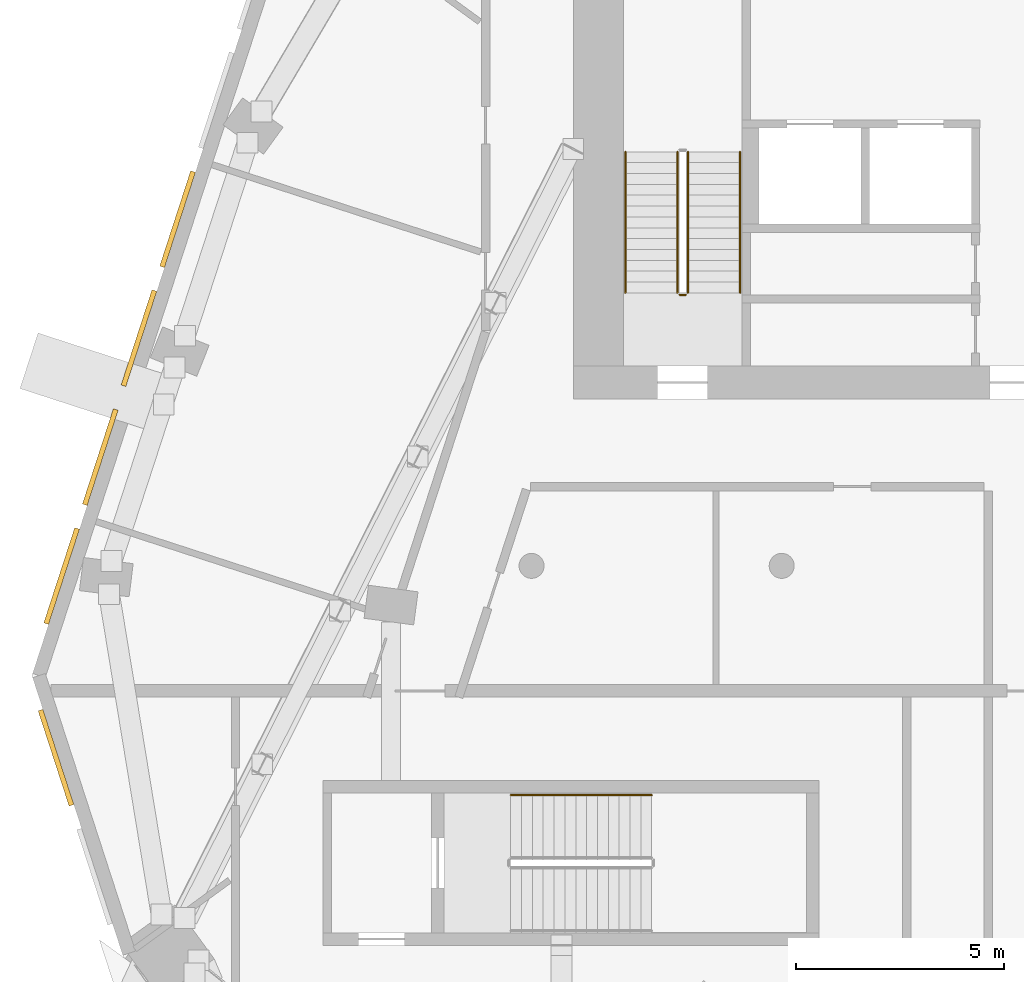
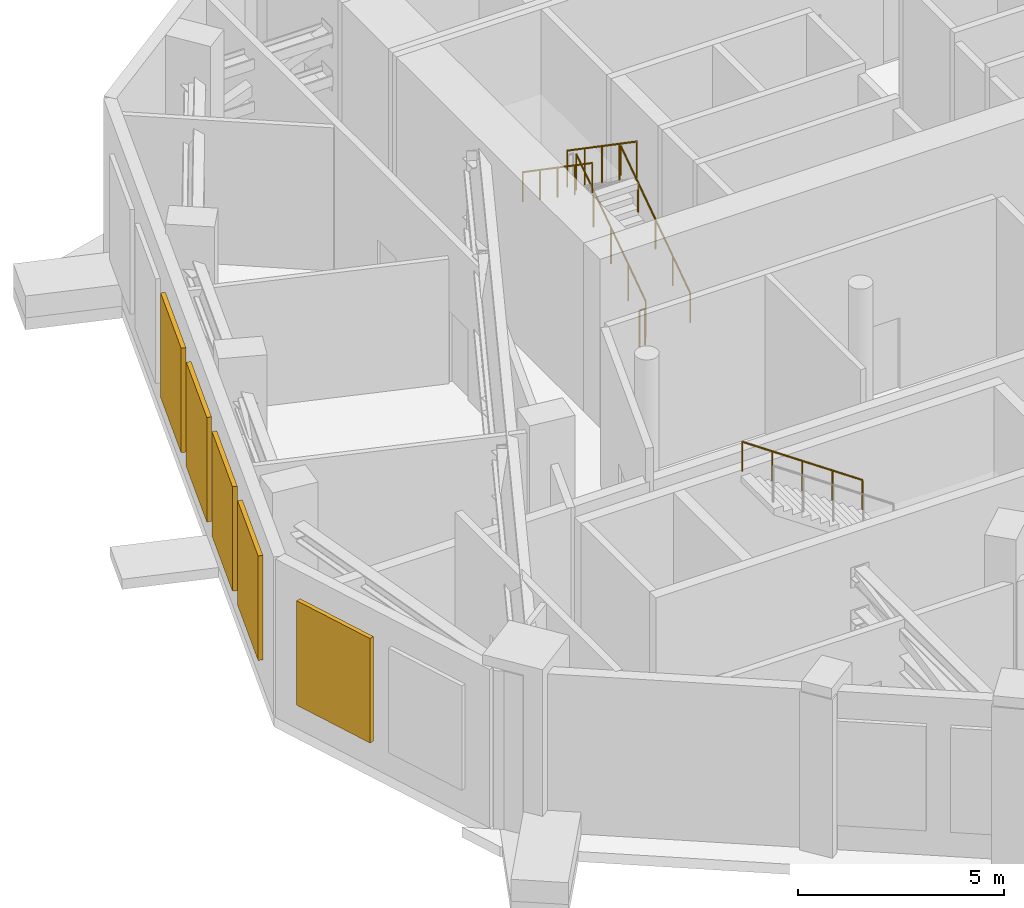
# One storey, part 13 of 16: 6 railings, 5 shading devices.
"""IFC4 building model written with IfcOpenShell, lengths in metres."""

from ifc_helpers import new_model, si_unit, direction, frame, origin, origin_2d, place, context, subcontext, project, spatial, rectangle, circle, extrude, material, type_object, element, save


model = new_model("IFC4")

# Units and contexts
model_context = context("Model", 3, precision=1e-05, world=origin(), true_north=direction((0.0, 1.0)))
body_context = subcontext(model_context, "Body", "Model", "MODEL_VIEW")
ifc_project = project(units=[si_unit("LENGTHUNIT", "METRE"), si_unit("AREAUNIT", "SQUARE_METRE"), si_unit("VOLUMEUNIT", "CUBIC_METRE"), si_unit("PLANEANGLEUNIT", "RADIAN"), si_unit("MASSUNIT", "GRAM", prefix="KILO")], contexts=[model_context])

# Site, building, storey
site_placement = place(None, origin())
site = spatial("IfcSite", under=ifc_project, at=site_placement, CompositionType="ELEMENT")
building_placement = place(site_placement, origin())
building = spatial("IfcBuilding", under=site, at=building_placement, Name="White Candle Pilgrim Tower", CompositionType="ELEMENT")
storey_placement = place(building_placement, frame((0.0, 0.0, 243.300048828125)))
storey = spatial("IfcBuildingStorey", under=building, at=storey_placement, Name="L57", CompositionType="ELEMENT", Elevation=243.300048828125)

# Shading devices
ifc_material_1 = material(Name="Aluminium", Category="aluminium")
shading_device_type = type_object("IfcShadingDeviceType", Name="Plant louvre LV2 2400x3100 aluminium framed", PredefinedType="USERDEFINED", material=ifc_material_1)
for number, where, z_axis, x_axis, name in (
    (1, (46.59326171875, 62.3984375, 0.7998046875), (0.0, 0.0, 1.0), (0.309016949491, -0.951056530879, 0.0), "Plant louvre L57 W chamfer 1"),
    (2, (49.50927734375, 75.314453125, 0.7998046875), (0.0, 0.0, 1.0), (-0.309016977212, -0.951056521872, 0.0), "Plant louvre L57 WNW 3"),
    (3, (48.582275390625, 72.461181640625, 0.7998046875), (0.0, 0.0, 1.0), (-0.309016977212, -0.951056521872, 0.0), "Plant louvre L57 WNW 4"),
    (4, (47.6552734375, 69.60791015625, 0.7998046875), (0.0, 0.0, 1.0), (-0.309016977212, -0.951056521872, 0.0), "Plant louvre L57 WNW 5"),
    (5, (46.728271484375, 66.7548828125, 0.7998046875), (0.0, 0.0, 1.0), (-0.309016977212, -0.951056521872, 0.0), "Plant louvre L57 WNW 6"),
):
    element("IfcShadingDevice", number, at=place(storey_placement, frame(where, z_axis=z_axis, x_axis=x_axis)), inside=storey, type_object=shading_device_type, Name=name, ObjectType="LOUVRE", PredefinedType="USERDEFINED", context=body_context, shape_type="SweptSolid", body=[
        extrude(rectangle(XDim=2.39990234375, YDim=0.1201171875, at=origin_2d()), origin(), (0.0, 0.0, 1.0), 3.10009765625),
    ])

# Railings
ifc_material_2 = material(Name="Stainless steel", Category="steel")
railing_type_1 = type_object("IfcRailingType", Name="Stair guard stainless steel 1100 mm", PredefinedType="GUARDRAIL", material=ifc_material_2)
railing_1_placement = place(storey_placement, frame((61.75, 73.550048828125, 0.178466796875)))
element("IfcRailing", 6, at=railing_1_placement, inside=storey, type_object=railing_type_1, Name="L57 ST1 stair guard 1", PredefinedType="GUARDRAIL", context=body_context, shape_type="SweptSolid", body=[
    extrude(circle(Radius=0.02392578125, at=origin_2d()), frame((0.0, 0.0, 1.076171875), z_axis=(0.0, 0.824285065979, 0.566174999451), x_axis=(-1.0, 0.0, 0.0)), (0.0, 0.0, 1.0), 4.100341796875),
    extrude(circle(Radius=0.02099609375, at=origin_2d()), origin(), (0.0, 0.0, 1.0), 1.052001953125),
    extrude(circle(Radius=0.02099609375, at=origin_2d()), frame((0.0, 0.844970703125, 0.580322265625)), (0.0, 0.0, 1.0), 1.052001953125),
    extrude(circle(Radius=0.02099609375, at=origin_2d()), frame((0.0, 1.68994140625, 1.16064453125)), (0.0, 0.0, 1.0), 1.052001953125),
    extrude(circle(Radius=0.02099609375, at=origin_2d()), frame((0.0, 2.534912109375, 1.7412109375)), (0.0, 0.0, 1.0), 1.052001953125),
    extrude(circle(Radius=0.02099609375, at=origin_2d()), frame((0.0, 3.3798828125, 2.321533203125)), (0.0, 0.0, 1.0), 1.052001953125),
])
railing_2_placement = place(storey_placement, frame((61.5, 76.929931640625, 2.678466796875)))
element("IfcRailing", 7, at=railing_2_placement, inside=storey, type_object=railing_type_1, Name="L57 ST1 stair guard 3", PredefinedType="GUARDRAIL", context=body_context, shape_type="SweptSolid", body=[
    extrude(circle(Radius=0.02392578125, at=origin_2d()), frame((0.0, 0.0, 1.076171875), z_axis=(0.0, -0.824285065979, 0.566174999451), x_axis=(1.0, 0.0, 0.0)), (0.0, 0.0, 1.0), 4.100341796875),
    extrude(circle(Radius=0.02099609375, at=origin_2d()), origin(), (0.0, 0.0, 1.0), 1.052001953125),
    extrude(circle(Radius=0.02099609375, at=origin_2d()), frame((0.0, -0.844970703125, 0.580322265625)), (0.0, 0.0, 1.0), 1.052001953125),
    extrude(circle(Radius=0.02099609375, at=origin_2d()), frame((0.0, -1.68994140625, 1.16064453125)), (0.0, 0.0, 1.0), 1.052001953125),
    extrude(circle(Radius=0.02099609375, at=origin_2d()), frame((0.0, -2.534912109375, 1.7412109375)), (0.0, 0.0, 1.0), 1.052001953125),
    extrude(circle(Radius=0.02099609375, at=origin_2d()), frame((0.0, -3.3798828125, 2.321533203125)), (0.0, 0.0, 1.0), 1.052001953125),
])
railing_3_placement = place(storey_placement, frame((61.699951171875, 73.5, 0.0)))
element("IfcRailing", 8, at=railing_3_placement, inside=storey, type_object=railing_type_1, Name="L57 ST1 stair guard 4", PredefinedType="GUARDRAIL", context=body_context, shape_type="SweptSolid", body=[
    extrude(circle(Radius=0.02392578125, at=origin_2d()), frame((0.0, 0.0, 1.076171875), z_axis=(-1.0, 0.0, 0.0), x_axis=(0.0, -1.0, 0.0)), (0.0, 0.0, 1.0), 0.14990234375),
    extrude(circle(Radius=0.02099609375, at=origin_2d()), origin(), (0.0, 0.0, 1.0), 1.052001953125),
    extrude(circle(Radius=0.02099609375, at=origin_2d()), frame((-0.14990234375, 0.0, 0.0)), (0.0, 0.0, 1.0), 1.052001953125),
])
railing_type_2 = type_object("IfcRailingType", Name="Stair handrail stainless steel", PredefinedType="HANDRAIL", material=ifc_material_2)
railing_4_placement = place(storey_placement, frame((63.0, 73.550048828125, 0.178466796875)))
element("IfcRailing", 9, at=railing_4_placement, inside=storey, type_object=railing_type_2, Name="L57 ST1 stair handrail 1", PredefinedType="HANDRAIL", context=body_context, shape_type="SweptSolid", body=[
    extrude(circle(Radius=0.02392578125, at=origin_2d()), frame((0.0, 0.0, 0.8759765625), z_axis=(0.0, 0.824285065979, 0.566174999451), x_axis=(-1.0, 0.0, 0.0)), (0.0, 0.0, 1.0), 4.100341796875),
    extrude(circle(Radius=0.02099609375, at=origin_2d()), origin(), (0.0, 0.0, 1.0), 0.851806640625),
    extrude(circle(Radius=0.02099609375, at=origin_2d()), frame((0.0, 0.844970703125, 0.580322265625)), (0.0, 0.0, 1.0), 0.851806640625),
    extrude(circle(Radius=0.02099609375, at=origin_2d()), frame((0.0, 1.68994140625, 1.16064453125)), (0.0, 0.0, 1.0), 0.851806640625),
    extrude(circle(Radius=0.02099609375, at=origin_2d()), frame((0.0, 2.534912109375, 1.7412109375)), (0.0, 0.0, 1.0), 0.851806640625),
    extrude(circle(Radius=0.02099609375, at=origin_2d()), frame((0.0, 3.3798828125, 2.321533203125)), (0.0, 0.0, 1.0), 0.851806640625),
])
railing_5_placement = place(storey_placement, frame((60.25, 76.929931640625, 2.678466796875)))
element("IfcRailing", 10, at=railing_5_placement, inside=storey, type_object=railing_type_2, Name="L57 ST1 stair handrail 2", PredefinedType="HANDRAIL", context=body_context, shape_type="SweptSolid", body=[
    extrude(circle(Radius=0.02392578125, at=origin_2d()), frame((0.0, 0.0, 0.8759765625), z_axis=(0.0, -0.824285065979, 0.566174999451), x_axis=(1.0, 0.0, 0.0)), (0.0, 0.0, 1.0), 4.100341796875),
    extrude(circle(Radius=0.02099609375, at=origin_2d()), origin(), (0.0, 0.0, 1.0), 0.851806640625),
    extrude(circle(Radius=0.02099609375, at=origin_2d()), frame((0.0, -0.844970703125, 0.580322265625)), (0.0, 0.0, 1.0), 0.851806640625),
    extrude(circle(Radius=0.02099609375, at=origin_2d()), frame((0.0, -1.68994140625, 1.16064453125)), (0.0, 0.0, 1.0), 0.851806640625),
    extrude(circle(Radius=0.02099609375, at=origin_2d()), frame((0.0, -2.534912109375, 1.7412109375)), (0.0, 0.0, 1.0), 0.851806640625),
    extrude(circle(Radius=0.02099609375, at=origin_2d()), frame((0.0, -3.3798828125, 2.321533203125)), (0.0, 0.0, 1.0), 0.851806640625),
])
railing_6_placement = place(storey_placement, frame((60.8798828125, 61.5, 2.678466796875)))
element("IfcRailing", 11, at=railing_6_placement, inside=storey, type_object=railing_type_2, Name="L57 ST5 stair handrail 2", PredefinedType="HANDRAIL", context=body_context, shape_type="SweptSolid", body=[
    extrude(circle(Radius=0.02392578125, at=origin_2d()), frame((0.0, 0.0, 0.8759765625), z_axis=(-0.824285065979, 0.0, 0.566174999451), x_axis=(0.0, -1.0, 0.0)), (0.0, 0.0, 1.0), 4.100341796875),
    extrude(circle(Radius=0.02099609375, at=origin_2d()), origin(), (0.0, 0.0, 1.0), 0.851806640625),
    extrude(circle(Radius=0.02099609375, at=origin_2d()), frame((-0.844970703125, 0.0, 0.580322265625)), (0.0, 0.0, 1.0), 0.851806640625),
    extrude(circle(Radius=0.02099609375, at=origin_2d()), frame((-1.68994140625, 0.0, 1.16064453125)), (0.0, 0.0, 1.0), 0.851806640625),
    extrude(circle(Radius=0.02099609375, at=origin_2d()), frame((-2.534912109375, 0.0, 1.7412109375)), (0.0, 0.0, 1.0), 0.851806640625),
    extrude(circle(Radius=0.02099609375, at=origin_2d()), frame((-3.3798828125, 0.0, 2.321533203125)), (0.0, 0.0, 1.0), 0.851806640625),
])

save(model, "model.ifc")
